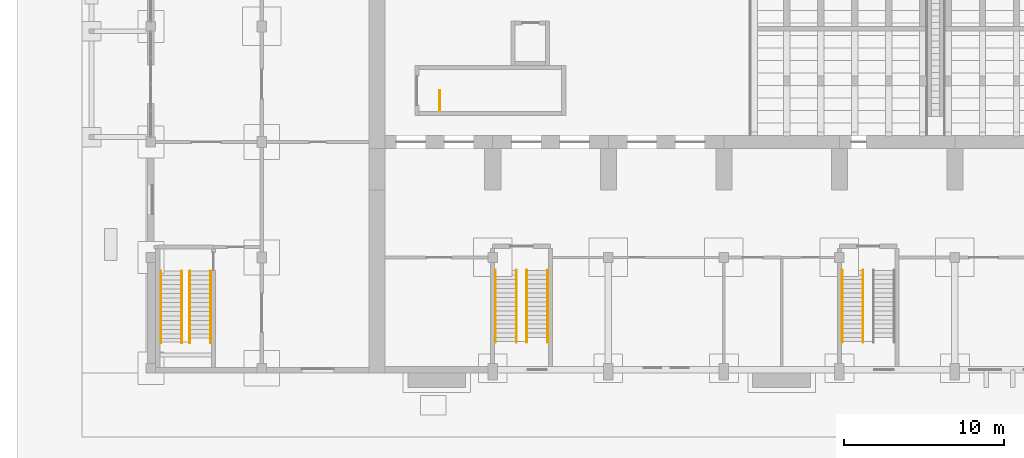
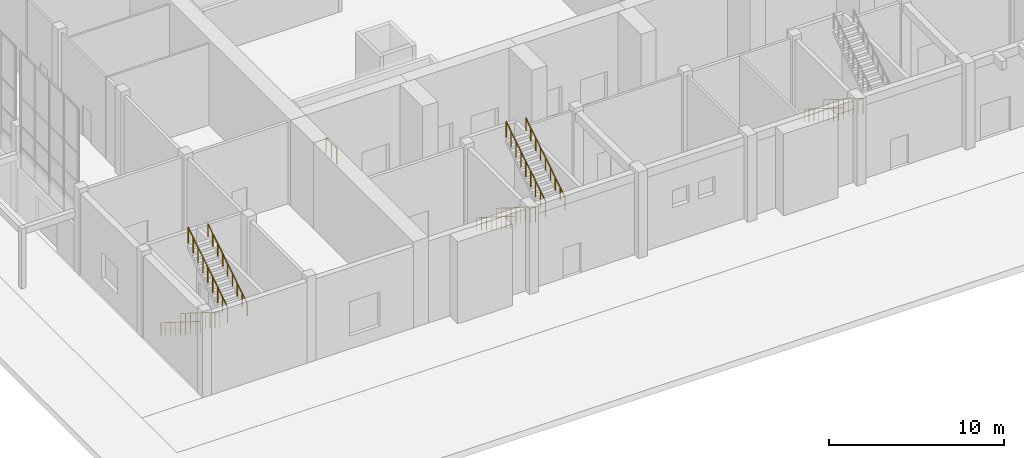
# One storey, part 58 of 70: 11 railings.
"""IFC4 building model written with IfcOpenShell, lengths in metres."""

from ifc_helpers import new_model, si_unit, direction, frame, origin, origin_2d, place, context, subcontext, project, spatial, circle, extrude, material, type_object, element, save


model = new_model("IFC4")

# Units and contexts
model_context = context("Model", 3, precision=1e-05, world=origin(), true_north=direction((0.0, 1.0)))
body_context = subcontext(model_context, "Body", "Model", "MODEL_VIEW")
ifc_project = project(units=[si_unit("LENGTHUNIT", "METRE"), si_unit("AREAUNIT", "SQUARE_METRE"), si_unit("VOLUMEUNIT", "CUBIC_METRE"), si_unit("PLANEANGLEUNIT", "RADIAN"), si_unit("MASSUNIT", "GRAM", prefix="KILO")], contexts=[model_context])

# Site, building, storey
site_placement = place(None, origin())
site = spatial("IfcSite", under=ifc_project, at=site_placement, CompositionType="ELEMENT")
building_placement = place(site_placement, origin())
building = spatial("IfcBuilding", under=site, at=building_placement, Name="Vermilion Court Aquatics Centre", CompositionType="ELEMENT")
storey_placement = place(building_placement, origin())
storey = spatial("IfcBuildingStorey", under=building, at=storey_placement, Name="L00", CompositionType="ELEMENT", Elevation=0.0)

# Railings
ifc_material_1 = material(Name="Steel ASTM A992 Grade 50", Category="steel")
railing_type_1 = type_object("IfcRailingType", Name="Foyer guard 1100", PredefinedType="GUARDRAIL", material=ifc_material_1)
railing_1_placement = place(storey_placement, frame((2.22509765625, 6.35009765625, 0.176513671875)))
element("IfcRailing", 1, at=railing_1_placement, inside=storey, type_object=railing_type_1, Name="Stair guard F1.1E", PredefinedType="GUARDRAIL", context=body_context, shape_type="SweptSolid", body=[
    extrude(circle(Radius=0.02392578125, at=origin_2d()), frame((0.0, 0.0, 1.076171875), z_axis=(0.0, -0.846128112635, 0.532979565282), x_axis=(1.0, 0.0, 0.0)), (0.0, 0.0, 1.0), 0.661865234375),
    extrude(circle(Radius=0.02392578125, at=origin_2d()), frame((0.0, -0.56005859375, 1.4287109375), z_axis=(0.0, -0.845961766943, 0.533243554926), x_axis=(1.0, 0.0, 0.0)), (0.0, 0.0, 1.0), 0.662109375),
    extrude(circle(Radius=0.02392578125, at=origin_2d()), frame((0.0, -1.1201171875, 1.78173828125), z_axis=(0.0, -0.845961766943, 0.533243554926), x_axis=(1.0, 0.0, 0.0)), (0.0, 0.0, 1.0), 0.662109375),
    extrude(circle(Radius=0.02392578125, at=origin_2d()), frame((0.0, -1.68017578125, 2.134765625), z_axis=(0.0, -0.846023287082, 0.533145944105), x_axis=(1.0, 0.0, 0.0)), (0.0, 0.0, 1.0), 0.66162109375),
    extrude(circle(Radius=0.02392578125, at=origin_2d()), frame((0.0, -2.239990234375, 2.48779296875), z_axis=(0.0, -0.845961766943, 0.533243554926), x_axis=(1.0, 0.0, 0.0)), (0.0, 0.0, 1.0), 0.662109375),
    extrude(circle(Radius=0.02392578125, at=origin_2d()), frame((0.0, -2.800048828125, 2.8408203125), z_axis=(0.0, -0.845961766943, 0.533243554926), x_axis=(1.0, 0.0, 0.0)), (0.0, 0.0, 1.0), 0.662109375),
    extrude(circle(Radius=0.02392578125, at=origin_2d()), frame((0.0, -3.360107421875, 3.19384765625), z_axis=(0.0, -0.846128112635, 0.532979565282), x_axis=(1.0, 0.0, 0.0)), (0.0, 0.0, 1.0), 0.661865234375),
    extrude(circle(Radius=0.02392578125, at=origin_2d()), frame((0.0, -3.920166015625, 3.54638671875), z_axis=(0.0, -0.84585685817, 0.533409950682), x_axis=(1.0, 0.0, 0.0)), (0.0, 0.0, 1.0), 0.661865234375),
    extrude(circle(Radius=0.02099609375, at=origin_2d()), origin(), (0.0, 0.0, 1.0), 1.052001953125),
    extrude(circle(Radius=0.02099609375, at=origin_2d()), frame((0.0, -0.56005859375, 0.352783203125)), (0.0, 0.0, 1.0), 1.052001953125),
    extrude(circle(Radius=0.02099609375, at=origin_2d()), frame((0.0, -1.1201171875, 0.705810546875)), (0.0, 0.0, 1.0), 1.052001953125),
    extrude(circle(Radius=0.02099609375, at=origin_2d()), frame((0.0, -1.68017578125, 1.058837890625)), (0.0, 0.0, 1.0), 1.052001953125),
    extrude(circle(Radius=0.02099609375, at=origin_2d()), frame((0.0, -2.239990234375, 1.41162109375)), (0.0, 0.0, 1.0), 1.052001953125),
    extrude(circle(Radius=0.02099609375, at=origin_2d()), frame((0.0, -2.800048828125, 1.7646484375)), (0.0, 0.0, 1.0), 1.052001953125),
    extrude(circle(Radius=0.02099609375, at=origin_2d()), frame((0.0, -3.360107421875, 2.11767578125)), (0.0, 0.0, 1.0), 1.052001953125),
    extrude(circle(Radius=0.02099609375, at=origin_2d()), frame((0.0, -3.920166015625, 2.470458984375)), (0.0, 0.0, 1.0), 1.052001953125),
    extrude(circle(Radius=0.02099609375, at=origin_2d()), frame((0.0, -4.47998046875, 2.823486328125)), (0.0, 0.0, 1.0), 1.052001953125),
])
railing_2_placement = place(storey_placement, frame((2.72509765625, 1.8701171875, 3.176513671875)))
element("IfcRailing", 2, at=railing_2_placement, inside=storey, type_object=railing_type_1, Name="Stair guard F1.2W", PredefinedType="GUARDRAIL", context=body_context, shape_type="SweptSolid", body=[
    extrude(circle(Radius=0.02392578125, at=origin_2d()), frame((0.0, 0.0, 1.076171875), z_axis=(0.0, 0.846023287082, 0.533145944105), x_axis=(-1.0, 0.0, 0.0)), (0.0, 0.0, 1.0), 0.66162109375),
    extrude(circle(Radius=0.02392578125, at=origin_2d()), frame((0.0, 0.559814453125, 1.4287109375), z_axis=(0.0, 0.845961766943, 0.533243554926), x_axis=(-1.0, 0.0, 0.0)), (0.0, 0.0, 1.0), 0.662109375),
    extrude(circle(Radius=0.02392578125, at=origin_2d()), frame((0.0, 1.119873046875, 1.78173828125), z_axis=(0.0, 0.845961766943, 0.533243554926), x_axis=(-1.0, 0.0, 0.0)), (0.0, 0.0, 1.0), 0.662109375),
    extrude(circle(Radius=0.02392578125, at=origin_2d()), frame((0.0, 1.679931640625, 2.134765625), z_axis=(0.0, 0.846128112635, 0.532979565282), x_axis=(-1.0, 0.0, 0.0)), (0.0, 0.0, 1.0), 0.661865234375),
    extrude(circle(Radius=0.02392578125, at=origin_2d()), frame((0.0, 2.239990234375, 2.48779296875), z_axis=(0.0, 0.84585685817, 0.533409950682), x_axis=(-1.0, 0.0, 0.0)), (0.0, 0.0, 1.0), 0.661865234375),
    extrude(circle(Radius=0.02392578125, at=origin_2d()), frame((0.0, 2.7998046875, 2.8408203125), z_axis=(0.0, 0.845961766943, 0.533243554926), x_axis=(-1.0, 0.0, 0.0)), (0.0, 0.0, 1.0), 0.662109375),
    extrude(circle(Radius=0.02392578125, at=origin_2d()), frame((0.0, 3.35986328125, 3.19384765625), z_axis=(0.0, 0.846128112635, 0.532979565282), x_axis=(-1.0, 0.0, 0.0)), (0.0, 0.0, 1.0), 0.661865234375),
    extrude(circle(Radius=0.02392578125, at=origin_2d()), frame((0.0, 3.919921875, 3.54638671875), z_axis=(0.0, 0.845961766943, 0.533243554926), x_axis=(-1.0, 0.0, 0.0)), (0.0, 0.0, 1.0), 0.662109375),
    extrude(circle(Radius=0.02099609375, at=origin_2d()), origin(), (0.0, 0.0, 1.0), 1.052001953125),
    extrude(circle(Radius=0.02099609375, at=origin_2d()), frame((0.0, 0.559814453125, 0.352783203125)), (0.0, 0.0, 1.0), 1.052001953125),
    extrude(circle(Radius=0.02099609375, at=origin_2d()), frame((0.0, 1.119873046875, 0.705810546875)), (0.0, 0.0, 1.0), 1.052001953125),
    extrude(circle(Radius=0.02099609375, at=origin_2d()), frame((0.0, 1.679931640625, 1.058837890625)), (0.0, 0.0, 1.0), 1.052001953125),
    extrude(circle(Radius=0.02099609375, at=origin_2d()), frame((0.0, 2.239990234375, 1.41162109375)), (0.0, 0.0, 1.0), 1.052001953125),
    extrude(circle(Radius=0.02099609375, at=origin_2d()), frame((0.0, 2.7998046875, 1.7646484375)), (0.0, 0.0, 1.0), 1.052001953125),
    extrude(circle(Radius=0.02099609375, at=origin_2d()), frame((0.0, 3.35986328125, 2.11767578125)), (0.0, 0.0, 1.0), 1.052001953125),
    extrude(circle(Radius=0.02099609375, at=origin_2d()), frame((0.0, 3.919921875, 2.470458984375)), (0.0, 0.0, 1.0), 1.052001953125),
    extrude(circle(Radius=0.02099609375, at=origin_2d()), frame((0.0, 4.47998046875, 2.823486328125)), (0.0, 0.0, 1.0), 1.052001953125),
])
ifc_material_2 = material(Name="Steel ASTM A992 Grade 50", Category="steel")
railing_type_2 = type_object("IfcRailingType", Name="Foyer handrail 900", PredefinedType="HANDRAIL", material=ifc_material_2)
railing_3_placement = place(storey_placement, frame((0.925048828125, 6.35009765625, 0.176513671875)))
element("IfcRailing", 3, at=railing_3_placement, inside=storey, type_object=railing_type_2, Name="Stair handrail F1.1W", PredefinedType="HANDRAIL", context=body_context, shape_type="SweptSolid", body=[
    extrude(circle(Radius=0.02392578125, at=origin_2d()), frame((0.0, 0.0, 0.8759765625), z_axis=(0.0, -0.846128112635, 0.532979565282), x_axis=(1.0, 0.0, 0.0)), (0.0, 0.0, 1.0), 0.661865234375),
    extrude(circle(Radius=0.02392578125, at=origin_2d()), frame((0.0, -0.56005859375, 1.228515625), z_axis=(0.0, -0.845961766943, 0.533243554926), x_axis=(1.0, 0.0, 0.0)), (0.0, 0.0, 1.0), 0.662109375),
    extrude(circle(Radius=0.02392578125, at=origin_2d()), frame((0.0, -1.1201171875, 1.58154296875), z_axis=(0.0, -0.845961766943, 0.533243554926), x_axis=(1.0, 0.0, 0.0)), (0.0, 0.0, 1.0), 0.662109375),
    extrude(circle(Radius=0.02392578125, at=origin_2d()), frame((0.0, -1.68017578125, 1.9345703125), z_axis=(0.0, -0.846023287082, 0.533145944105), x_axis=(1.0, 0.0, 0.0)), (0.0, 0.0, 1.0), 0.66162109375),
    extrude(circle(Radius=0.02392578125, at=origin_2d()), frame((0.0, -2.239990234375, 2.28759765625), z_axis=(0.0, -0.845961766943, 0.533243554926), x_axis=(1.0, 0.0, 0.0)), (0.0, 0.0, 1.0), 0.662109375),
    extrude(circle(Radius=0.02392578125, at=origin_2d()), frame((0.0, -2.800048828125, 2.640625), z_axis=(0.0, -0.845961766943, 0.533243554926), x_axis=(1.0, 0.0, 0.0)), (0.0, 0.0, 1.0), 0.662109375),
    extrude(circle(Radius=0.02392578125, at=origin_2d()), frame((0.0, -3.360107421875, 2.99365234375), z_axis=(0.0, -0.846128112635, 0.532979565282), x_axis=(1.0, 0.0, 0.0)), (0.0, 0.0, 1.0), 0.661865234375),
    extrude(circle(Radius=0.02392578125, at=origin_2d()), frame((0.0, -3.920166015625, 3.34619140625), z_axis=(0.0, -0.84585685817, 0.533409950682), x_axis=(1.0, 0.0, 0.0)), (0.0, 0.0, 1.0), 0.661865234375),
    extrude(circle(Radius=0.02099609375, at=origin_2d()), origin(), (0.0, 0.0, 1.0), 0.851806640625),
    extrude(circle(Radius=0.02099609375, at=origin_2d()), frame((0.0, -0.56005859375, 0.352783203125)), (0.0, 0.0, 1.0), 0.851806640625),
    extrude(circle(Radius=0.02099609375, at=origin_2d()), frame((0.0, -1.1201171875, 0.705810546875)), (0.0, 0.0, 1.0), 0.851806640625),
    extrude(circle(Radius=0.02099609375, at=origin_2d()), frame((0.0, -1.68017578125, 1.058837890625)), (0.0, 0.0, 1.0), 0.851806640625),
    extrude(circle(Radius=0.02099609375, at=origin_2d()), frame((0.0, -2.239990234375, 1.41162109375)), (0.0, 0.0, 1.0), 0.851806640625),
    extrude(circle(Radius=0.02099609375, at=origin_2d()), frame((0.0, -2.800048828125, 1.7646484375)), (0.0, 0.0, 1.0), 0.851806640625),
    extrude(circle(Radius=0.02099609375, at=origin_2d()), frame((0.0, -3.360107421875, 2.11767578125)), (0.0, 0.0, 1.0), 0.851806640625),
    extrude(circle(Radius=0.02099609375, at=origin_2d()), frame((0.0, -3.920166015625, 2.470458984375)), (0.0, 0.0, 1.0), 0.851806640625),
    extrude(circle(Radius=0.02099609375, at=origin_2d()), frame((0.0, -4.47998046875, 2.823486328125)), (0.0, 0.0, 1.0), 0.851806640625),
])
railing_4_placement = place(storey_placement, frame((4.02490234375, 1.8701171875, 3.176513671875)))
element("IfcRailing", 4, at=railing_4_placement, inside=storey, type_object=railing_type_2, Name="Stair handrail F1.2E", PredefinedType="HANDRAIL", context=body_context, shape_type="SweptSolid", body=[
    extrude(circle(Radius=0.02392578125, at=origin_2d()), frame((0.0, 0.0, 0.8759765625), z_axis=(0.0, 0.846023287082, 0.533145944105), x_axis=(-1.0, 0.0, 0.0)), (0.0, 0.0, 1.0), 0.66162109375),
    extrude(circle(Radius=0.02392578125, at=origin_2d()), frame((0.0, 0.559814453125, 1.228515625), z_axis=(0.0, 0.845961766943, 0.533243554926), x_axis=(-1.0, 0.0, 0.0)), (0.0, 0.0, 1.0), 0.662109375),
    extrude(circle(Radius=0.02392578125, at=origin_2d()), frame((0.0, 1.119873046875, 1.58154296875), z_axis=(0.0, 0.845961766943, 0.533243554926), x_axis=(-1.0, 0.0, 0.0)), (0.0, 0.0, 1.0), 0.662109375),
    extrude(circle(Radius=0.02392578125, at=origin_2d()), frame((0.0, 1.679931640625, 1.9345703125), z_axis=(0.0, 0.846128112635, 0.532979565282), x_axis=(-1.0, 0.0, 0.0)), (0.0, 0.0, 1.0), 0.661865234375),
    extrude(circle(Radius=0.02392578125, at=origin_2d()), frame((0.0, 2.239990234375, 2.28759765625), z_axis=(0.0, 0.84585685817, 0.533409950682), x_axis=(-1.0, 0.0, 0.0)), (0.0, 0.0, 1.0), 0.661865234375),
    extrude(circle(Radius=0.02392578125, at=origin_2d()), frame((0.0, 2.7998046875, 2.640625), z_axis=(0.0, 0.845961766943, 0.533243554926), x_axis=(-1.0, 0.0, 0.0)), (0.0, 0.0, 1.0), 0.662109375),
    extrude(circle(Radius=0.02392578125, at=origin_2d()), frame((0.0, 3.35986328125, 2.99365234375), z_axis=(0.0, 0.846128112635, 0.532979565282), x_axis=(-1.0, 0.0, 0.0)), (0.0, 0.0, 1.0), 0.661865234375),
    extrude(circle(Radius=0.02392578125, at=origin_2d()), frame((0.0, 3.919921875, 3.34619140625), z_axis=(0.0, 0.845961766943, 0.533243554926), x_axis=(-1.0, 0.0, 0.0)), (0.0, 0.0, 1.0), 0.662109375),
    extrude(circle(Radius=0.02099609375, at=origin_2d()), origin(), (0.0, 0.0, 1.0), 0.851806640625),
    extrude(circle(Radius=0.02099609375, at=origin_2d()), frame((0.0, 0.559814453125, 0.352783203125)), (0.0, 0.0, 1.0), 0.851806640625),
    extrude(circle(Radius=0.02099609375, at=origin_2d()), frame((0.0, 1.119873046875, 0.705810546875)), (0.0, 0.0, 1.0), 0.851806640625),
    extrude(circle(Radius=0.02099609375, at=origin_2d()), frame((0.0, 1.679931640625, 1.058837890625)), (0.0, 0.0, 1.0), 0.851806640625),
    extrude(circle(Radius=0.02099609375, at=origin_2d()), frame((0.0, 2.239990234375, 1.41162109375)), (0.0, 0.0, 1.0), 0.851806640625),
    extrude(circle(Radius=0.02099609375, at=origin_2d()), frame((0.0, 2.7998046875, 1.7646484375)), (0.0, 0.0, 1.0), 0.851806640625),
    extrude(circle(Radius=0.02099609375, at=origin_2d()), frame((0.0, 3.35986328125, 2.11767578125)), (0.0, 0.0, 1.0), 0.851806640625),
    extrude(circle(Radius=0.02099609375, at=origin_2d()), frame((0.0, 3.919921875, 2.470458984375)), (0.0, 0.0, 1.0), 0.851806640625),
    extrude(circle(Radius=0.02099609375, at=origin_2d()), frame((0.0, 4.47998046875, 2.823486328125)), (0.0, 0.0, 1.0), 0.851806640625),
])
ifc_material_3 = material(Name="Steel ASTM A992 Grade 50", Category="steel")
railing_type_3 = type_object("IfcRailingType", Name="Hall guard 1100", PredefinedType="GUARDRAIL", material=ifc_material_3)
railing_5_placement = place(storey_placement, frame((18.300048828125, 16.35009765625, 0.0)))
element("IfcRailing", 5, at=railing_5_placement, inside=storey, type_object=railing_type_3, Name="Stair well guard 1", PredefinedType="GUARDRAIL", context=body_context, shape_type="SweptSolid", body=[
    extrude(circle(Radius=0.02392578125, at=origin_2d()), frame((0.0, 0.0, 1.076171875), z_axis=(0.0, 1.0, 0.0), x_axis=(-1.0, 0.0, 0.0)), (0.0, 0.0, 1.0), 1.25),
    extrude(circle(Radius=0.02099609375, at=origin_2d()), origin(), (0.0, 0.0, 1.0), 1.052001953125),
    extrude(circle(Radius=0.02099609375, at=origin_2d()), frame((0.0, 0.625, 0.0)), (0.0, 0.0, 1.0), 1.052001953125),
    extrude(circle(Radius=0.02099609375, at=origin_2d()), frame((0.0, 1.25, 0.0)), (0.0, 0.0, 1.0), 1.052001953125),
])
ifc_material_4 = material(Name="Steel ASTM A992 Grade 50", Category="steel")
railing_type_4 = type_object("IfcRailingType", Name="South stair guard 1100", PredefinedType="GUARDRAIL", material=ifc_material_4)
railing_6_placement = place(storey_placement, frame((23.074951171875, 6.39990234375, 0.176513671875)))
element("IfcRailing", 6, at=railing_6_placement, inside=storey, type_object=railing_type_4, Name="Stair guard S1.1E", PredefinedType="GUARDRAIL", context=body_context, shape_type="SweptSolid", body=[
    extrude(circle(Radius=0.02392578125, at=origin_2d()), frame((0.0, 0.0, 1.076171875), z_axis=(0.0, -0.846023287082, 0.533145944105), x_axis=(1.0, 0.0, 0.0)), (0.0, 0.0, 1.0), 0.66162109375),
    extrude(circle(Radius=0.02392578125, at=origin_2d()), frame((0.0, -0.559814453125, 1.4287109375), z_axis=(0.0, -0.845961766943, 0.533243554926), x_axis=(1.0, 0.0, 0.0)), (0.0, 0.0, 1.0), 0.662109375),
    extrude(circle(Radius=0.02392578125, at=origin_2d()), frame((0.0, -1.119873046875, 1.78173828125), z_axis=(0.0, -0.845961766943, 0.533243554926), x_axis=(1.0, 0.0, 0.0)), (0.0, 0.0, 1.0), 0.662109375),
    extrude(circle(Radius=0.02392578125, at=origin_2d()), frame((0.0, -1.679931640625, 2.134765625), z_axis=(0.0, -0.846128112635, 0.532979565282), x_axis=(1.0, 0.0, 0.0)), (0.0, 0.0, 1.0), 0.661865234375),
    extrude(circle(Radius=0.02392578125, at=origin_2d()), frame((0.0, -2.239990234375, 2.48779296875), z_axis=(0.0, -0.84585685817, 0.533409950682), x_axis=(1.0, 0.0, 0.0)), (0.0, 0.0, 1.0), 0.661865234375),
    extrude(circle(Radius=0.02392578125, at=origin_2d()), frame((0.0, -2.7998046875, 2.8408203125), z_axis=(0.0, -0.845961766943, 0.533243554926), x_axis=(1.0, 0.0, 0.0)), (0.0, 0.0, 1.0), 0.662109375),
    extrude(circle(Radius=0.02392578125, at=origin_2d()), frame((0.0, -3.35986328125, 3.19384765625), z_axis=(0.0, -0.846128112635, 0.532979565282), x_axis=(1.0, 0.0, 0.0)), (0.0, 0.0, 1.0), 0.661865234375),
    extrude(circle(Radius=0.02392578125, at=origin_2d()), frame((0.0, -3.919921875, 3.54638671875), z_axis=(0.0, -0.845961766943, 0.533243554926), x_axis=(1.0, 0.0, 0.0)), (0.0, 0.0, 1.0), 0.662109375),
    extrude(circle(Radius=0.02099609375, at=origin_2d()), origin(), (0.0, 0.0, 1.0), 1.052001953125),
    extrude(circle(Radius=0.02099609375, at=origin_2d()), frame((0.0, -0.559814453125, 0.352783203125)), (0.0, 0.0, 1.0), 1.052001953125),
    extrude(circle(Radius=0.02099609375, at=origin_2d()), frame((0.0, -1.119873046875, 0.705810546875)), (0.0, 0.0, 1.0), 1.052001953125),
    extrude(circle(Radius=0.02099609375, at=origin_2d()), frame((0.0, -1.679931640625, 1.058837890625)), (0.0, 0.0, 1.0), 1.052001953125),
    extrude(circle(Radius=0.02099609375, at=origin_2d()), frame((0.0, -2.239990234375, 1.41162109375)), (0.0, 0.0, 1.0), 1.052001953125),
    extrude(circle(Radius=0.02099609375, at=origin_2d()), frame((0.0, -2.7998046875, 1.7646484375)), (0.0, 0.0, 1.0), 1.052001953125),
    extrude(circle(Radius=0.02099609375, at=origin_2d()), frame((0.0, -3.35986328125, 2.11767578125)), (0.0, 0.0, 1.0), 1.052001953125),
    extrude(circle(Radius=0.02099609375, at=origin_2d()), frame((0.0, -3.919921875, 2.470458984375)), (0.0, 0.0, 1.0), 1.052001953125),
    extrude(circle(Radius=0.02099609375, at=origin_2d()), frame((0.0, -4.47998046875, 2.823486328125)), (0.0, 0.0, 1.0), 1.052001953125),
])
railing_7_placement = place(storey_placement, frame((23.72509765625, 1.919921875, 3.176513671875)))
element("IfcRailing", 7, at=railing_7_placement, inside=storey, type_object=railing_type_4, Name="Stair guard S1.2W", PredefinedType="GUARDRAIL", context=body_context, shape_type="SweptSolid", body=[
    extrude(circle(Radius=0.02392578125, at=origin_2d()), frame((0.0, 0.0, 1.076171875), z_axis=(0.0, 0.846128112635, 0.532979565282), x_axis=(-1.0, 0.0, 0.0)), (0.0, 0.0, 1.0), 0.661865234375),
    extrude(circle(Radius=0.02392578125, at=origin_2d()), frame((0.0, 0.56005859375, 1.4287109375), z_axis=(0.0, 0.845961766943, 0.533243554926), x_axis=(-1.0, 0.0, 0.0)), (0.0, 0.0, 1.0), 0.662109375),
    extrude(circle(Radius=0.02392578125, at=origin_2d()), frame((0.0, 1.1201171875, 1.78173828125), z_axis=(0.0, 0.845961766943, 0.533243554926), x_axis=(-1.0, 0.0, 0.0)), (0.0, 0.0, 1.0), 0.662109375),
    extrude(circle(Radius=0.02392578125, at=origin_2d()), frame((0.0, 1.68017578125, 2.134765625), z_axis=(0.0, 0.846023287082, 0.533145944105), x_axis=(-1.0, 0.0, 0.0)), (0.0, 0.0, 1.0), 0.66162109375),
    extrude(circle(Radius=0.02392578125, at=origin_2d()), frame((0.0, 2.239990234375, 2.48779296875), z_axis=(0.0, 0.845961766943, 0.533243554926), x_axis=(-1.0, 0.0, 0.0)), (0.0, 0.0, 1.0), 0.662109375),
    extrude(circle(Radius=0.02392578125, at=origin_2d()), frame((0.0, 2.800048828125, 2.8408203125), z_axis=(0.0, 0.845961766943, 0.533243554926), x_axis=(-1.0, 0.0, 0.0)), (0.0, 0.0, 1.0), 0.662109375),
    extrude(circle(Radius=0.02392578125, at=origin_2d()), frame((0.0, 3.360107421875, 3.19384765625), z_axis=(0.0, 0.846128112635, 0.532979565282), x_axis=(-1.0, 0.0, 0.0)), (0.0, 0.0, 1.0), 0.661865234375),
    extrude(circle(Radius=0.02392578125, at=origin_2d()), frame((0.0, 3.920166015625, 3.54638671875), z_axis=(0.0, 0.84585685817, 0.533409950682), x_axis=(-1.0, 0.0, 0.0)), (0.0, 0.0, 1.0), 0.661865234375),
    extrude(circle(Radius=0.02099609375, at=origin_2d()), origin(), (0.0, 0.0, 1.0), 1.052001953125),
    extrude(circle(Radius=0.02099609375, at=origin_2d()), frame((0.0, 0.56005859375, 0.352783203125)), (0.0, 0.0, 1.0), 1.052001953125),
    extrude(circle(Radius=0.02099609375, at=origin_2d()), frame((0.0, 1.1201171875, 0.705810546875)), (0.0, 0.0, 1.0), 1.052001953125),
    extrude(circle(Radius=0.02099609375, at=origin_2d()), frame((0.0, 1.68017578125, 1.058837890625)), (0.0, 0.0, 1.0), 1.052001953125),
    extrude(circle(Radius=0.02099609375, at=origin_2d()), frame((0.0, 2.239990234375, 1.41162109375)), (0.0, 0.0, 1.0), 1.052001953125),
    extrude(circle(Radius=0.02099609375, at=origin_2d()), frame((0.0, 2.800048828125, 1.7646484375)), (0.0, 0.0, 1.0), 1.052001953125),
    extrude(circle(Radius=0.02099609375, at=origin_2d()), frame((0.0, 3.360107421875, 2.11767578125)), (0.0, 0.0, 1.0), 1.052001953125),
    extrude(circle(Radius=0.02099609375, at=origin_2d()), frame((0.0, 3.920166015625, 2.470458984375)), (0.0, 0.0, 1.0), 1.052001953125),
    extrude(circle(Radius=0.02099609375, at=origin_2d()), frame((0.0, 4.47998046875, 2.823486328125)), (0.0, 0.0, 1.0), 1.052001953125),
])
railing_8_placement = place(storey_placement, frame((44.675048828125, 6.39990234375, 0.176513671875)))
element("IfcRailing", 8, at=railing_8_placement, inside=storey, type_object=railing_type_4, Name="Stair guard S2.1E", PredefinedType="GUARDRAIL", context=body_context, shape_type="SweptSolid", body=[
    extrude(circle(Radius=0.02392578125, at=origin_2d()), frame((0.0, 0.0, 1.076171875), z_axis=(0.0, -0.846023287082, 0.533145944105), x_axis=(1.0, 0.0, 0.0)), (0.0, 0.0, 1.0), 0.66162109375),
    extrude(circle(Radius=0.02392578125, at=origin_2d()), frame((0.0, -0.559814453125, 1.4287109375), z_axis=(0.0, -0.845961766943, 0.533243554926), x_axis=(1.0, 0.0, 0.0)), (0.0, 0.0, 1.0), 0.662109375),
    extrude(circle(Radius=0.02392578125, at=origin_2d()), frame((0.0, -1.119873046875, 1.78173828125), z_axis=(0.0, -0.845961766943, 0.533243554926), x_axis=(1.0, 0.0, 0.0)), (0.0, 0.0, 1.0), 0.662109375),
    extrude(circle(Radius=0.02392578125, at=origin_2d()), frame((0.0, -1.679931640625, 2.134765625), z_axis=(0.0, -0.846128112635, 0.532979565282), x_axis=(1.0, 0.0, 0.0)), (0.0, 0.0, 1.0), 0.661865234375),
    extrude(circle(Radius=0.02392578125, at=origin_2d()), frame((0.0, -2.239990234375, 2.48779296875), z_axis=(0.0, -0.84585685817, 0.533409950682), x_axis=(1.0, 0.0, 0.0)), (0.0, 0.0, 1.0), 0.661865234375),
    extrude(circle(Radius=0.02392578125, at=origin_2d()), frame((0.0, -2.7998046875, 2.8408203125), z_axis=(0.0, -0.845961766943, 0.533243554926), x_axis=(1.0, 0.0, 0.0)), (0.0, 0.0, 1.0), 0.662109375),
    extrude(circle(Radius=0.02392578125, at=origin_2d()), frame((0.0, -3.35986328125, 3.19384765625), z_axis=(0.0, -0.846128112635, 0.532979565282), x_axis=(1.0, 0.0, 0.0)), (0.0, 0.0, 1.0), 0.661865234375),
    extrude(circle(Radius=0.02392578125, at=origin_2d()), frame((0.0, -3.919921875, 3.54638671875), z_axis=(0.0, -0.845961766943, 0.533243554926), x_axis=(1.0, 0.0, 0.0)), (0.0, 0.0, 1.0), 0.662109375),
    extrude(circle(Radius=0.02099609375, at=origin_2d()), origin(), (0.0, 0.0, 1.0), 1.052001953125),
    extrude(circle(Radius=0.02099609375, at=origin_2d()), frame((0.0, -0.559814453125, 0.352783203125)), (0.0, 0.0, 1.0), 1.052001953125),
    extrude(circle(Radius=0.02099609375, at=origin_2d()), frame((0.0, -1.119873046875, 0.705810546875)), (0.0, 0.0, 1.0), 1.052001953125),
    extrude(circle(Radius=0.02099609375, at=origin_2d()), frame((0.0, -1.679931640625, 1.058837890625)), (0.0, 0.0, 1.0), 1.052001953125),
    extrude(circle(Radius=0.02099609375, at=origin_2d()), frame((0.0, -2.239990234375, 1.41162109375)), (0.0, 0.0, 1.0), 1.052001953125),
    extrude(circle(Radius=0.02099609375, at=origin_2d()), frame((0.0, -2.7998046875, 1.7646484375)), (0.0, 0.0, 1.0), 1.052001953125),
    extrude(circle(Radius=0.02099609375, at=origin_2d()), frame((0.0, -3.35986328125, 2.11767578125)), (0.0, 0.0, 1.0), 1.052001953125),
    extrude(circle(Radius=0.02099609375, at=origin_2d()), frame((0.0, -3.919921875, 2.470458984375)), (0.0, 0.0, 1.0), 1.052001953125),
    extrude(circle(Radius=0.02099609375, at=origin_2d()), frame((0.0, -4.47998046875, 2.823486328125)), (0.0, 0.0, 1.0), 1.052001953125),
])
ifc_material_5 = material(Name="Steel ASTM A992 Grade 50", Category="steel")
railing_type_5 = type_object("IfcRailingType", Name="South stair handrail 900", PredefinedType="HANDRAIL", material=ifc_material_5)
railing_9_placement = place(storey_placement, frame((21.77490234375, 6.39990234375, 0.176513671875)))
element("IfcRailing", 9, at=railing_9_placement, inside=storey, type_object=railing_type_5, Name="Stair handrail S1.1W", PredefinedType="HANDRAIL", context=body_context, shape_type="SweptSolid", body=[
    extrude(circle(Radius=0.02392578125, at=origin_2d()), frame((0.0, 0.0, 0.8759765625), z_axis=(0.0, -0.846023287082, 0.533145944105), x_axis=(1.0, 0.0, 0.0)), (0.0, 0.0, 1.0), 0.66162109375),
    extrude(circle(Radius=0.02392578125, at=origin_2d()), frame((0.0, -0.559814453125, 1.228515625), z_axis=(0.0, -0.845961766943, 0.533243554926), x_axis=(1.0, 0.0, 0.0)), (0.0, 0.0, 1.0), 0.662109375),
    extrude(circle(Radius=0.02392578125, at=origin_2d()), frame((0.0, -1.119873046875, 1.58154296875), z_axis=(0.0, -0.845961766943, 0.533243554926), x_axis=(1.0, 0.0, 0.0)), (0.0, 0.0, 1.0), 0.662109375),
    extrude(circle(Radius=0.02392578125, at=origin_2d()), frame((0.0, -1.679931640625, 1.9345703125), z_axis=(0.0, -0.846128112635, 0.532979565282), x_axis=(1.0, 0.0, 0.0)), (0.0, 0.0, 1.0), 0.661865234375),
    extrude(circle(Radius=0.02392578125, at=origin_2d()), frame((0.0, -2.239990234375, 2.28759765625), z_axis=(0.0, -0.84585685817, 0.533409950682), x_axis=(1.0, 0.0, 0.0)), (0.0, 0.0, 1.0), 0.661865234375),
    extrude(circle(Radius=0.02392578125, at=origin_2d()), frame((0.0, -2.7998046875, 2.640625), z_axis=(0.0, -0.845961766943, 0.533243554926), x_axis=(1.0, 0.0, 0.0)), (0.0, 0.0, 1.0), 0.662109375),
    extrude(circle(Radius=0.02392578125, at=origin_2d()), frame((0.0, -3.35986328125, 2.99365234375), z_axis=(0.0, -0.846128112635, 0.532979565282), x_axis=(1.0, 0.0, 0.0)), (0.0, 0.0, 1.0), 0.661865234375),
    extrude(circle(Radius=0.02392578125, at=origin_2d()), frame((0.0, -3.919921875, 3.34619140625), z_axis=(0.0, -0.845961766943, 0.533243554926), x_axis=(1.0, 0.0, 0.0)), (0.0, 0.0, 1.0), 0.662109375),
    extrude(circle(Radius=0.02099609375, at=origin_2d()), origin(), (0.0, 0.0, 1.0), 0.851806640625),
    extrude(circle(Radius=0.02099609375, at=origin_2d()), frame((0.0, -0.559814453125, 0.352783203125)), (0.0, 0.0, 1.0), 0.851806640625),
    extrude(circle(Radius=0.02099609375, at=origin_2d()), frame((0.0, -1.119873046875, 0.705810546875)), (0.0, 0.0, 1.0), 0.851806640625),
    extrude(circle(Radius=0.02099609375, at=origin_2d()), frame((0.0, -1.679931640625, 1.058837890625)), (0.0, 0.0, 1.0), 0.851806640625),
    extrude(circle(Radius=0.02099609375, at=origin_2d()), frame((0.0, -2.239990234375, 1.41162109375)), (0.0, 0.0, 1.0), 0.851806640625),
    extrude(circle(Radius=0.02099609375, at=origin_2d()), frame((0.0, -2.7998046875, 1.7646484375)), (0.0, 0.0, 1.0), 0.851806640625),
    extrude(circle(Radius=0.02099609375, at=origin_2d()), frame((0.0, -3.35986328125, 2.11767578125)), (0.0, 0.0, 1.0), 0.851806640625),
    extrude(circle(Radius=0.02099609375, at=origin_2d()), frame((0.0, -3.919921875, 2.470458984375)), (0.0, 0.0, 1.0), 0.851806640625),
    extrude(circle(Radius=0.02099609375, at=origin_2d()), frame((0.0, -4.47998046875, 2.823486328125)), (0.0, 0.0, 1.0), 0.851806640625),
])
railing_10_placement = place(storey_placement, frame((25.02490234375, 1.919921875, 3.176513671875)))
element("IfcRailing", 10, at=railing_10_placement, inside=storey, type_object=railing_type_5, Name="Stair handrail S1.2E", PredefinedType="HANDRAIL", context=body_context, shape_type="SweptSolid", body=[
    extrude(circle(Radius=0.02392578125, at=origin_2d()), frame((0.0, 0.0, 0.8759765625), z_axis=(0.0, 0.846128112635, 0.532979565282), x_axis=(-1.0, 0.0, 0.0)), (0.0, 0.0, 1.0), 0.661865234375),
    extrude(circle(Radius=0.02392578125, at=origin_2d()), frame((0.0, 0.56005859375, 1.228515625), z_axis=(0.0, 0.845961766943, 0.533243554926), x_axis=(-1.0, 0.0, 0.0)), (0.0, 0.0, 1.0), 0.662109375),
    extrude(circle(Radius=0.02392578125, at=origin_2d()), frame((0.0, 1.1201171875, 1.58154296875), z_axis=(0.0, 0.845961766943, 0.533243554926), x_axis=(-1.0, 0.0, 0.0)), (0.0, 0.0, 1.0), 0.662109375),
    extrude(circle(Radius=0.02392578125, at=origin_2d()), frame((0.0, 1.68017578125, 1.9345703125), z_axis=(0.0, 0.846023287082, 0.533145944105), x_axis=(-1.0, 0.0, 0.0)), (0.0, 0.0, 1.0), 0.66162109375),
    extrude(circle(Radius=0.02392578125, at=origin_2d()), frame((0.0, 2.239990234375, 2.28759765625), z_axis=(0.0, 0.845961766943, 0.533243554926), x_axis=(-1.0, 0.0, 0.0)), (0.0, 0.0, 1.0), 0.662109375),
    extrude(circle(Radius=0.02392578125, at=origin_2d()), frame((0.0, 2.800048828125, 2.640625), z_axis=(0.0, 0.845961766943, 0.533243554926), x_axis=(-1.0, 0.0, 0.0)), (0.0, 0.0, 1.0), 0.662109375),
    extrude(circle(Radius=0.02392578125, at=origin_2d()), frame((0.0, 3.360107421875, 2.99365234375), z_axis=(0.0, 0.846128112635, 0.532979565282), x_axis=(-1.0, 0.0, 0.0)), (0.0, 0.0, 1.0), 0.661865234375),
    extrude(circle(Radius=0.02392578125, at=origin_2d()), frame((0.0, 3.920166015625, 3.34619140625), z_axis=(0.0, 0.84585685817, 0.533409950682), x_axis=(-1.0, 0.0, 0.0)), (0.0, 0.0, 1.0), 0.661865234375),
    extrude(circle(Radius=0.02099609375, at=origin_2d()), origin(), (0.0, 0.0, 1.0), 0.851806640625),
    extrude(circle(Radius=0.02099609375, at=origin_2d()), frame((0.0, 0.56005859375, 0.352783203125)), (0.0, 0.0, 1.0), 0.851806640625),
    extrude(circle(Radius=0.02099609375, at=origin_2d()), frame((0.0, 1.1201171875, 0.705810546875)), (0.0, 0.0, 1.0), 0.851806640625),
    extrude(circle(Radius=0.02099609375, at=origin_2d()), frame((0.0, 1.68017578125, 1.058837890625)), (0.0, 0.0, 1.0), 0.851806640625),
    extrude(circle(Radius=0.02099609375, at=origin_2d()), frame((0.0, 2.239990234375, 1.41162109375)), (0.0, 0.0, 1.0), 0.851806640625),
    extrude(circle(Radius=0.02099609375, at=origin_2d()), frame((0.0, 2.800048828125, 1.7646484375)), (0.0, 0.0, 1.0), 0.851806640625),
    extrude(circle(Radius=0.02099609375, at=origin_2d()), frame((0.0, 3.360107421875, 2.11767578125)), (0.0, 0.0, 1.0), 0.851806640625),
    extrude(circle(Radius=0.02099609375, at=origin_2d()), frame((0.0, 3.920166015625, 2.470458984375)), (0.0, 0.0, 1.0), 0.851806640625),
    extrude(circle(Radius=0.02099609375, at=origin_2d()), frame((0.0, 4.47998046875, 2.823486328125)), (0.0, 0.0, 1.0), 0.851806640625),
])
railing_11_placement = place(storey_placement, frame((43.375, 6.39990234375, 0.176513671875)))
element("IfcRailing", 11, at=railing_11_placement, inside=storey, type_object=railing_type_5, Name="Stair handrail S2.1W", PredefinedType="HANDRAIL", context=body_context, shape_type="SweptSolid", body=[
    extrude(circle(Radius=0.02392578125, at=origin_2d()), frame((0.0, 0.0, 0.8759765625), z_axis=(0.0, -0.846023287082, 0.533145944105), x_axis=(1.0, 0.0, 0.0)), (0.0, 0.0, 1.0), 0.66162109375),
    extrude(circle(Radius=0.02392578125, at=origin_2d()), frame((0.0, -0.559814453125, 1.228515625), z_axis=(0.0, -0.845961766943, 0.533243554926), x_axis=(1.0, 0.0, 0.0)), (0.0, 0.0, 1.0), 0.662109375),
    extrude(circle(Radius=0.02392578125, at=origin_2d()), frame((0.0, -1.119873046875, 1.58154296875), z_axis=(0.0, -0.845961766943, 0.533243554926), x_axis=(1.0, 0.0, 0.0)), (0.0, 0.0, 1.0), 0.662109375),
    extrude(circle(Radius=0.02392578125, at=origin_2d()), frame((0.0, -1.679931640625, 1.9345703125), z_axis=(0.0, -0.846128112635, 0.532979565282), x_axis=(1.0, 0.0, 0.0)), (0.0, 0.0, 1.0), 0.661865234375),
    extrude(circle(Radius=0.02392578125, at=origin_2d()), frame((0.0, -2.239990234375, 2.28759765625), z_axis=(0.0, -0.84585685817, 0.533409950682), x_axis=(1.0, 0.0, 0.0)), (0.0, 0.0, 1.0), 0.661865234375),
    extrude(circle(Radius=0.02392578125, at=origin_2d()), frame((0.0, -2.7998046875, 2.640625), z_axis=(0.0, -0.845961766943, 0.533243554926), x_axis=(1.0, 0.0, 0.0)), (0.0, 0.0, 1.0), 0.662109375),
    extrude(circle(Radius=0.02392578125, at=origin_2d()), frame((0.0, -3.35986328125, 2.99365234375), z_axis=(0.0, -0.846128112635, 0.532979565282), x_axis=(1.0, 0.0, 0.0)), (0.0, 0.0, 1.0), 0.661865234375),
    extrude(circle(Radius=0.02392578125, at=origin_2d()), frame((0.0, -3.919921875, 3.34619140625), z_axis=(0.0, -0.845961766943, 0.533243554926), x_axis=(1.0, 0.0, 0.0)), (0.0, 0.0, 1.0), 0.662109375),
    extrude(circle(Radius=0.02099609375, at=origin_2d()), origin(), (0.0, 0.0, 1.0), 0.851806640625),
    extrude(circle(Radius=0.02099609375, at=origin_2d()), frame((0.0, -0.559814453125, 0.352783203125)), (0.0, 0.0, 1.0), 0.851806640625),
    extrude(circle(Radius=0.02099609375, at=origin_2d()), frame((0.0, -1.119873046875, 0.705810546875)), (0.0, 0.0, 1.0), 0.851806640625),
    extrude(circle(Radius=0.02099609375, at=origin_2d()), frame((0.0, -1.679931640625, 1.058837890625)), (0.0, 0.0, 1.0), 0.851806640625),
    extrude(circle(Radius=0.02099609375, at=origin_2d()), frame((0.0, -2.239990234375, 1.41162109375)), (0.0, 0.0, 1.0), 0.851806640625),
    extrude(circle(Radius=0.02099609375, at=origin_2d()), frame((0.0, -2.7998046875, 1.7646484375)), (0.0, 0.0, 1.0), 0.851806640625),
    extrude(circle(Radius=0.02099609375, at=origin_2d()), frame((0.0, -3.35986328125, 2.11767578125)), (0.0, 0.0, 1.0), 0.851806640625),
    extrude(circle(Radius=0.02099609375, at=origin_2d()), frame((0.0, -3.919921875, 2.470458984375)), (0.0, 0.0, 1.0), 0.851806640625),
    extrude(circle(Radius=0.02099609375, at=origin_2d()), frame((0.0, -4.47998046875, 2.823486328125)), (0.0, 0.0, 1.0), 0.851806640625),
])

save(model, "model.ifc")
